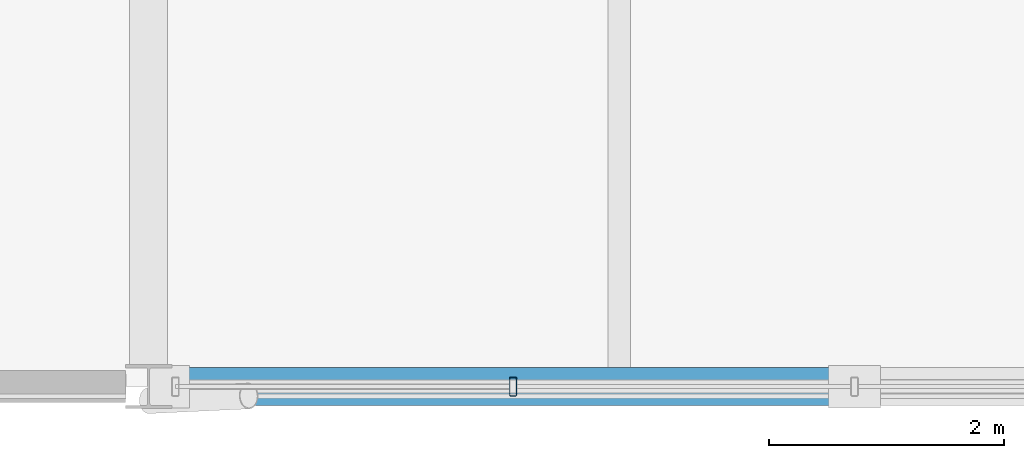
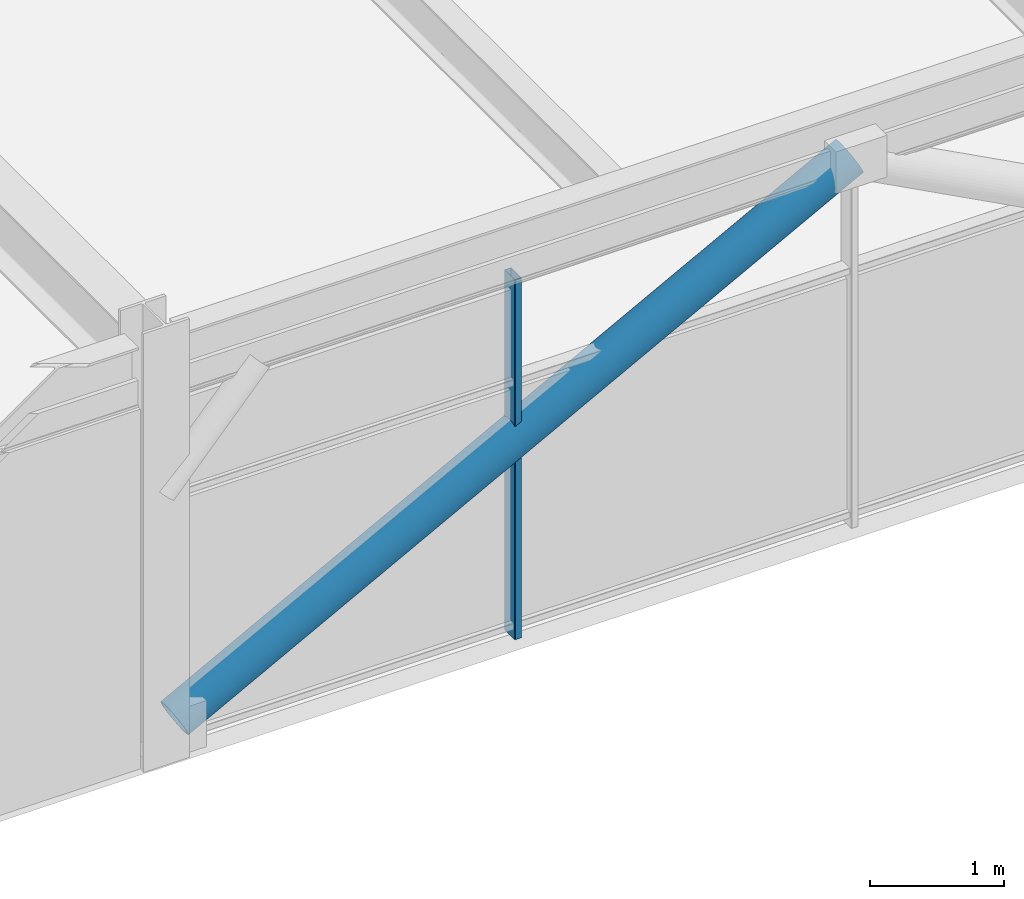
# One storey, part 8 of 51: 2 members, 1 element without a shape of its own.
"""IFC4 building model written with IfcOpenShell, lengths in metres."""

from ifc_helpers import new_model, si_unit, direction, frame, origin, origin_2d, place, context, subcontext, project, spatial, hollow_rectangle, hollow_circle, extrude, material, material_profile, profile_set, type_object, element, aggregate, save


model = new_model("IFC4")

# Units and contexts
model_context = context("Model", 3, precision=1e-05, world=origin(), true_north=direction((0.0, 1.0)))
body_context = subcontext(model_context, "Body", "Model", "MODEL_VIEW")
ifc_project = project(units=[si_unit("LENGTHUNIT", "METRE"), si_unit("AREAUNIT", "SQUARE_METRE"), si_unit("VOLUMEUNIT", "CUBIC_METRE"), si_unit("PLANEANGLEUNIT", "RADIAN"), si_unit("MASSUNIT", "GRAM", prefix="KILO")], contexts=[model_context])

# Site, building, storey
site_placement = place(None, origin())
site = spatial("IfcSite", under=ifc_project, at=site_placement, CompositionType="ELEMENT")
building_placement = place(site_placement, origin())
building = spatial("IfcBuilding", under=site, at=building_placement, Name="Girod Span Mobility Hub", CompositionType="ELEMENT")
storey_placement = place(building_placement, frame((0.0, 0.0, 41.60009765625)))
storey = spatial("IfcBuildingStorey", under=building, at=storey_placement, Name="L10", CompositionType="ELEMENT", Elevation=41.60009765625)

# Curtain wall, member
ifc_material_1 = material(Name="Thermally Broken Anodised Aluminium", Category="aluminium")
curtain_wall_type = type_object("IfcCurtainWallType", Name="CW-1161X328", PredefinedType="USERDEFINED", material=ifc_material_1)
curtain_wall_placement = place(storey_placement, origin())
curtain_wall = element("IfcCurtainWall", 1, at=curtain_wall_placement, inside=storey, type_object=curtain_wall_type, Name="Unitised Curtain Wall CW-L10-S04 L10", ObjectType="UNITISED CURTAIN WALL", PredefinedType="USERDEFINED")
ifc_material_2 = material(Name="Thermally Broken Anodised Aluminium", Category="aluminium")
ifc_material_profile_1 = material_profile(ifc_material_2, hollow_rectangle(XDim=0.159912109375, YDim=0.06005859375, WallThickness=0.00341796875, InnerFilletRadius=0.00341796875, OuterFilletRadius=0.007080078125, at=origin_2d()), Name="CW-ML-60X160")
ifc_profile_set_1 = profile_set([ifc_material_profile_1], Name="Thermally Broken Anodised Aluminium")
member_type_1 = type_object("IfcMemberType", Name="CWM-ML-3", PredefinedType="MULLION", material=ifc_profile_set_1)
member_1_placement = place(storey_placement, frame((39.097412109375, 27.0, 0.0), z_axis=(0.0, 0.0, 1.0), x_axis=(0.0, 1.0, 0.0)))
member_1 = element("IfcMember", 2, at=member_1_placement, type_object=member_type_1, Name="Curtain Wall Mullion CW-L10-S04-M1", PredefinedType="MULLION", context=body_context, shape_type="SweptSolid", body=[
    extrude(hollow_rectangle(XDim=0.159912109375, YDim=0.06005859375, WallThickness=0.00341796875, InnerFilletRadius=0.00341796875, OuterFilletRadius=0.007080078125, at=origin_2d()), origin(), (0.0, 0.0, 1.0), 3.281005859375),
])
aggregate(curtain_wall, [member_1])

# Member
ifc_material_3 = material(Name="Steel HSS A500 Grade C", Category="steel")
ifc_material_profile_2 = material_profile(ifc_material_3, hollow_circle(Radius=0.162109375, WallThickness=0.01171875, at=origin_2d()), Name="HSS324X12.7")
ifc_profile_set_2 = profile_set([ifc_material_profile_2], Name="Steel HSS A500 Grade C")
member_type_2 = type_object("IfcMemberType", Name="MB-BR-HSS324", PredefinedType="BRACE", material=ifc_profile_set_2)
member_2_placement = place(storey_placement, frame((36.177001953125, 27.0, 0.25), z_axis=(0.883282045976, 0.0, 0.468842006711), x_axis=(0.0, 1.0, 0.0)))
element("IfcMember", 3, at=member_2_placement, inside=storey, type_object=member_type_2, Name="Upper Diagrid Brace 4/C-L L10", PredefinedType="BRACE", context=body_context, shape_type="SweptSolid", body=[
    extrude(hollow_circle(Radius=0.162109375, WallThickness=0.01171875, at=origin_2d()), origin(), (0.0, 0.0, 1.0), 6.592529296875),
])

save(model, "model.ifc")
